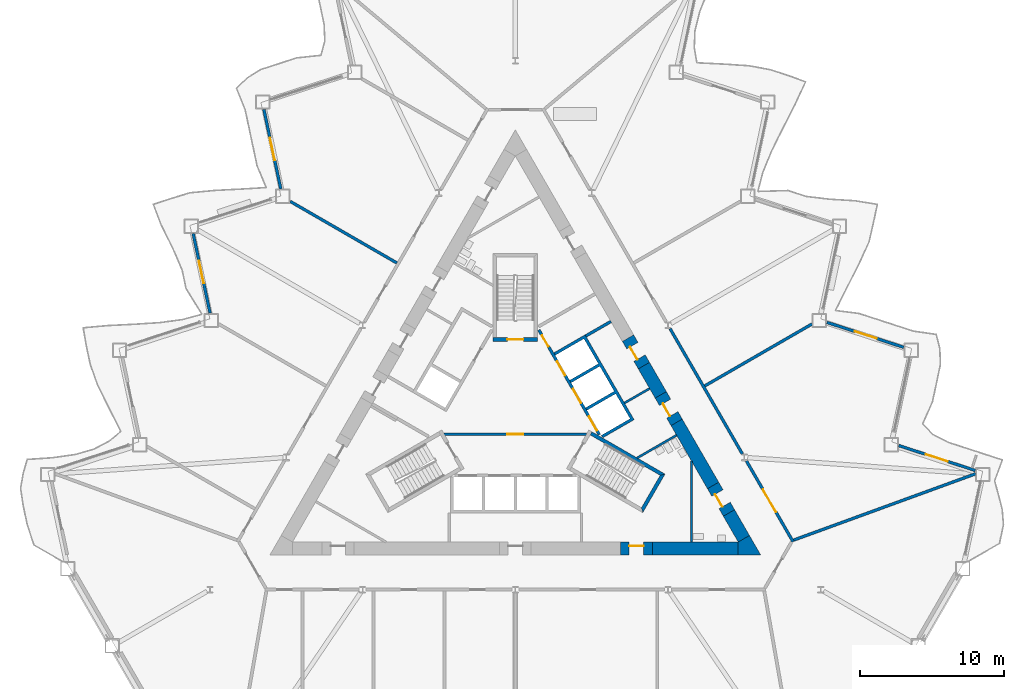
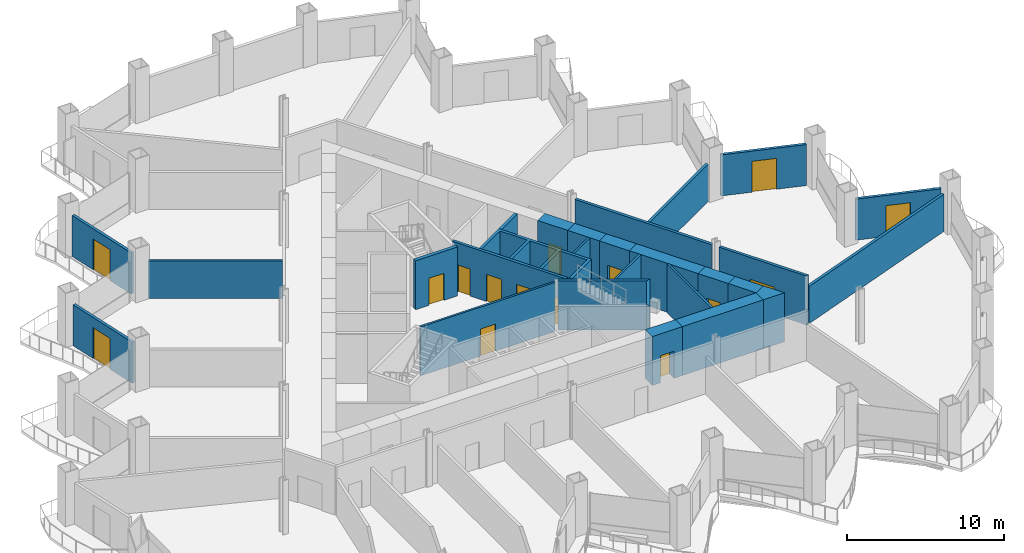
# One storey, part 11 of 21: 28 walls, 15 doors, 15 openings.
"""IFC4 building model written with IfcOpenShell, lengths in metres."""

from ifc_helpers import new_model, si_unit, direction, frame, frame_2d, origin, place, context, subcontext, project, spatial, polyline, rectangle, outline, extrude, material, layer, layer_set, type_object, element, fill, save


model = new_model("IFC4")

# Units and contexts
model_context = context("Model", 3, precision=1e-05, world=origin(), true_north=direction((0.0, 1.0)))
body_context = subcontext(model_context, "Body", "Model", "MODEL_VIEW")
ifc_project = project(units=[si_unit("LENGTHUNIT", "METRE"), si_unit("AREAUNIT", "SQUARE_METRE"), si_unit("VOLUMEUNIT", "CUBIC_METRE"), si_unit("PLANEANGLEUNIT", "RADIAN"), si_unit("MASSUNIT", "GRAM", prefix="KILO")], contexts=[model_context])

# Site, building, storey
site_placement = place(None, origin())
site = spatial("IfcSite", under=ifc_project, at=site_placement, CompositionType="ELEMENT")
building_placement = place(site_placement, origin())
building = spatial("IfcBuilding", under=site, at=building_placement, Name="Cormorant Prow Tower", CompositionType="ELEMENT")
storey_placement = place(building_placement, frame((0.0, 0.0, 67.800048828125)))
storey = spatial("IfcBuildingStorey", under=building, at=storey_placement, Name="L14", CompositionType="ELEMENT", Elevation=67.800048828125)

# Wall, opening, door
ifc_material_1 = material(Name="Gypsum board partition")
ifc_layer_1 = layer(ifc_material_1, 0.14990234375)
ifc_layer_set_1 = layer_set([ifc_layer_1], Name="Gypsum board partition")
wall_type_1 = type_object("IfcWallType", Name="Core partition 150", PredefinedType="PARTITIONING", material=ifc_layer_set_1)
wall_1_placement = place(storey_placement, frame((-4.941162109375, -1.449951171875, 0.0), z_axis=(0.0, 0.0, 1.0), x_axis=(1.0, 0.0, 0.0)))
wall_1 = element("IfcWall", 1, at=wall_1_placement, inside=storey, type_object=wall_type_1, Name="Firefighting lobby partition", PredefinedType="PARTITIONING", context=body_context, shape_type="SweptSolid", body=[
    extrude(rectangle(XDim=9.88232421875, YDim=0.14990234375, at=frame_2d((4.941162109375, 0.0))), origin(), (0.0, 0.0, 1.0), 3.800048828125),
])
opening_1_placement = place(wall_1_placement, frame((4.39111328125, 0.0, 0.0)))
opening_1 = element("IfcOpeningElement", 2, at=opening_1_placement, cuts=wall_1, Name="Opening L14-C10", PredefinedType="OPENING", context=body_context, shape_type="SweptSolid", body=[
    extrude(rectangle(XDim=1.10009765625, YDim=2.10009765625, at=frame_2d((0.550048828125, 1.050048828125))), frame((0.0, 0.0849609375, 0.0), z_axis=(0.0, -1.0, 0.0), x_axis=(1.0, 0.0, 0.0)), (0.0, 0.0, 1.0), 0.169921875),
])
ifc_material_2 = material(Name="Painted steel", Category="steel")
door_type_1 = type_object("IfcDoorType", Name="Firefighting lobby door 1100x2100", OperationType="NOTDEFINED", PredefinedType="DOOR", material=ifc_material_2)
door_1_placement = place(opening_1_placement, origin())
door_1 = element("IfcDoor", 3, at=door_1_placement, inside=storey, type_object=door_type_1, Name="Firefighting lobby door", OperationType="SINGLE_SWING_RIGHT", OverallHeight=2.10009765625, OverallWidth=1.10009765625, PredefinedType="DOOR", context=body_context, shape_type="SweptSolid", body=[
    extrude(rectangle(XDim=1.10009765625, YDim=2.10009765625, at=frame_2d((0.550048828125, 1.050048828125))), frame((0.0, 0.02490234375, 0.0), z_axis=(0.0, -1.0, 0.0), x_axis=(1.0, 0.0, 0.0)), (0.0, 0.0, 1.0), 0.050048828125),
])
fill(opening_1, door_1)

# Walls
wall_2_placement = place(storey_placement, frame((9.3017578125, 1.71875, 0.0), z_axis=(0.0, 0.0, 1.0), x_axis=(-0.866035824272, -0.499981950752, 0.0)))
element("IfcWall", 4, at=wall_2_placement, inside=storey, type_object=wall_type_1, Name="Service room partition", PredefinedType="PARTITIONING", context=body_context, shape_type="SweptSolid", body=[
    extrude(rectangle(XDim=2.0087890625, YDim=0.14990234375, at=frame_2d((1.00439453125, 0.0))), origin(), (0.0, 0.0, 1.0), 3.800048828125),
])
wall_3_placement = place(storey_placement, frame((11.169921875, -1.516845703125, 0.0), z_axis=(0.0, 0.0, 1.0), x_axis=(-0.866037599206, -0.499978876315, 0.0)))
element("IfcWall", 5, at=wall_3_placement, inside=storey, type_object=wall_type_1, Name="Service room partition", PredefinedType="PARTITIONING", context=body_context, shape_type="SweptSolid", body=[
    extrude(rectangle(XDim=3.159423828125, YDim=0.14990234375, at=frame_2d((1.57958984375, 0.0))), origin(), (0.0, 0.0, 1.0), 3.800048828125),
])
wall_4_placement = place(storey_placement, frame((12.203857421875, -8.9150390625, 0.0), z_axis=(0.0, 0.0, 1.0), x_axis=(0.0, 1.0, 0.0)))
element("IfcWall", 6, at=wall_4_placement, inside=storey, type_object=wall_type_1, Name="Service room partition", PredefinedType="PARTITIONING", context=body_context, shape_type="SweptSolid", body=[
    extrude(rectangle(XDim=5.607421875, YDim=0.14990234375, at=frame_2d((2.8037109375, 0.0))), origin(), (0.0, 0.0, 1.0), 3.800048828125),
])
ifc_material_3 = material(Name="Concrete 8000 psi", Category="concrete")
ifc_layer_2 = layer(ifc_material_3, 0.89990234375)
ifc_layer_set_2 = layer_set([ifc_layer_2], Name="Concrete 8000 psi")
wall_type_2 = type_object("IfcWallType", Name="Core shear wall 900", PredefinedType="SHEAR", material=ifc_layer_set_2)
wall_5_placement = place(storey_placement, frame((9.489501953125, -9.364990234375, 0.0), z_axis=(0.0, 0.0, 1.0), x_axis=(1.0, 0.0, 0.0)))
element("IfcWall", 7, at=wall_5_placement, inside=storey, type_object=wall_type_2, Name="Core wall", PredefinedType="SHEAR", context=body_context, shape_type="SweptSolid", body=[
    extrude(rectangle(XDim=5.95166015625, YDim=0.89990234375, at=frame_2d((2.975830078125, 0.0))), origin(), (0.0, 0.0, 1.0), 3.800048828125),
])
wall_6_placement = place(storey_placement, frame((13.69970703125, -4.998779296875, 0.0), z_axis=(0.0, 0.0, 1.0), x_axis=(-0.499993158726, 0.86602935356, 0.0)))
element("IfcWall", 8, at=wall_6_placement, inside=storey, type_object=wall_type_2, Name="Core wall", PredefinedType="SHEAR", context=body_context, shape_type="SweptSolid", body=[
    extrude(rectangle(XDim=5.04833984375, YDim=0.89990234375, at=frame_2d((2.524169921875, 0.0))), origin(), (0.0, 0.0, 1.0), 3.800048828125),
])
wall_7_placement = place(storey_placement, frame((10.075439453125, 1.278564453125, 0.0), z_axis=(0.0, 0.0, 1.0), x_axis=(-0.500026924946, 0.866009858102, 0.0)))
element("IfcWall", 9, at=wall_7_placement, inside=storey, type_object=wall_type_2, Name="Core wall", PredefinedType="SHEAR", context=body_context, shape_type="SweptSolid", body=[
    extrude(rectangle(XDim=2.336669921875, YDim=0.89990234375, at=frame_2d((1.16845703125, 0.0))), origin(), (0.0, 0.0, 1.0), 3.800048828125),
])
wall_8_placement = place(storey_placement, frame((15.830810546875, -8.68994140625, 0.0), z_axis=(0.0, 0.0, 1.0), x_axis=(-0.499971832445, 0.866041665719, 0.0)))
element("IfcWall", 10, at=wall_8_placement, inside=storey, type_object=wall_type_2, Name="Core wall", PredefinedType="SHEAR", context=body_context, shape_type="SweptSolid", body=[
    extrude(rectangle(XDim=2.06201171875, YDim=0.89990234375, at=frame_2d((1.031005859375, 0.0))), origin(), (0.0, 0.0, 1.0), 3.800048828125),
])
wall_9_placement = place(storey_placement, origin())
element("IfcWall", 11, at=wall_9_placement, inside=storey, type_object=wall_type_2, Name="Core wall corner", PredefinedType="SHEAR", context=body_context, shape_type="SweptSolid", body=[
    extrude(outline(polyline([(15.441162109375, -9.81494140625), (15.441162109375, -8.9150390625), (16.220703125, -8.465087890625), (17.0, -9.81494140625), (15.441162109375, -9.81494140625)])), origin(), (0.0, 0.0, 1.0), 3.800048828125),
])

# Wall, opening, door
wall_10_placement = place(storey_placement, frame((14.7998046875, -6.904052734375, 0.0), z_axis=(0.0, 0.0, 1.0), x_axis=(-0.50002983664, 0.866008176907, 0.0)))
wall_10 = element("IfcWall", 12, at=wall_10_placement, inside=storey, type_object=wall_type_2, Name="Core wall door panel", PredefinedType="SHEAR", context=body_context, shape_type="SweptSolid", body=[
    extrude(rectangle(XDim=2.199951171875, YDim=0.89990234375, at=frame_2d((1.10009765625, 0.0))), origin(), (0.0, 0.0, 1.0), 3.800048828125),
])
opening_2_placement = place(wall_10_placement, frame((0.60009765625, 0.0, 0.0)))
opening_2 = element("IfcOpeningElement", 13, at=opening_2_placement, cuts=wall_10, Name="Opening L14-C16", PredefinedType="OPENING", context=body_context, shape_type="SweptSolid", body=[
    extrude(rectangle(XDim=1.0, YDim=2.10009765625, at=frame_2d((0.5, 1.050048828125))), frame((0.0, 0.4599609375, 0.0), z_axis=(0.0, -1.0, 0.0), x_axis=(1.0, 0.0, 0.0)), (0.0, 0.0, 1.0), 0.919921875),
])
ifc_material_4 = material(Name="Painted steel", Category="steel")
door_type_2 = type_object("IfcDoorType", Name="Service door 1000x2100", OperationType="NOTDEFINED", PredefinedType="DOOR", material=ifc_material_4)
door_2_placement = place(opening_2_placement, origin())
door_2 = element("IfcDoor", 14, at=door_2_placement, inside=storey, type_object=door_type_2, Name="Core door, Accessible WC L14", OperationType="SINGLE_SWING_LEFT", OverallHeight=2.10009765625, OverallWidth=1.0, PredefinedType="DOOR", context=body_context, shape_type="SweptSolid", body=[
    extrude(rectangle(XDim=1.0, YDim=2.10009765625, at=frame_2d((0.5, 1.050048828125))), frame((0.0, 0.205078125, 0.0), z_axis=(0.0, -1.0, 0.0), x_axis=(1.0, 0.0, 0.0)), (0.0, 0.0, 1.0), 0.050048828125),
])
fill(opening_2, door_2)

wall_11_placement = place(storey_placement, frame((7.289306640625, -9.364990234375, 0.0), z_axis=(0.0, 0.0, 1.0), x_axis=(1.0, 0.0, 0.0)))
wall_11 = element("IfcWall", 15, at=wall_11_placement, inside=storey, type_object=wall_type_2, Name="Core wall door panel", PredefinedType="SHEAR", context=body_context, shape_type="SweptSolid", body=[
    extrude(rectangle(XDim=2.2001953125, YDim=0.89990234375, at=frame_2d((1.10009765625, 0.0))), origin(), (0.0, 0.0, 1.0), 3.800048828125),
])
opening_3_placement = place(wall_11_placement, frame((0.60009765625, 0.0, 0.0)))
opening_3 = element("IfcOpeningElement", 16, at=opening_3_placement, cuts=wall_11, Name="Opening L14-C17", PredefinedType="OPENING", context=body_context, shape_type="SweptSolid", body=[
    extrude(rectangle(XDim=1.0, YDim=2.10009765625, at=frame_2d((0.5, 1.050048828125))), frame((0.0, 0.4599609375, 0.0), z_axis=(0.0, -1.0, 0.0), x_axis=(1.0, 0.0, 0.0)), (0.0, 0.0, 1.0), 0.919921875),
])
door_3_placement = place(opening_3_placement, origin())
door_3 = element("IfcDoor", 17, at=door_3_placement, inside=storey, type_object=door_type_2, Name="Core door, Toilets (men) L14", OperationType="SINGLE_SWING_LEFT", OverallHeight=2.10009765625, OverallWidth=1.0, PredefinedType="DOOR", context=body_context, shape_type="SweptSolid", body=[
    extrude(rectangle(XDim=1.0, YDim=2.10009765625, at=frame_2d((0.5, 1.050048828125))), frame((0.0, 0.205078125, 0.0), z_axis=(0.0, -1.0, 0.0), x_axis=(1.0, 0.0, 0.0)), (0.0, 0.0, 1.0), 0.050048828125),
])
fill(opening_3, door_3)

wall_12_placement = place(storey_placement, frame((11.175537109375, -0.626708984375, 0.0), z_axis=(0.0, 0.0, 1.0), x_axis=(-0.499946605688, 0.86605622881, 0.0)))
wall_12 = element("IfcWall", 18, at=wall_12_placement, inside=storey, type_object=wall_type_2, Name="Core wall door panel", PredefinedType="SHEAR", context=body_context, shape_type="SweptSolid", body=[
    extrude(rectangle(XDim=2.199951171875, YDim=0.89990234375, at=frame_2d((1.10009765625, 0.0))), origin(), (0.0, 0.0, 1.0), 3.800048828125),
])
opening_4_placement = place(wall_12_placement, frame((0.60009765625, 0.0, 0.0)))
opening_4 = element("IfcOpeningElement", 19, at=opening_4_placement, cuts=wall_12, Name="Opening L14-C19", PredefinedType="OPENING", context=body_context, shape_type="SweptSolid", body=[
    extrude(rectangle(XDim=1.0, YDim=2.10009765625, at=frame_2d((0.5, 1.050048828125))), frame((0.0, 0.4599609375, 0.0), z_axis=(0.0, -1.0, 0.0), x_axis=(1.0, 0.0, 0.0)), (0.0, 0.0, 1.0), 0.919921875),
])
door_4_placement = place(opening_4_placement, origin())
door_4 = element("IfcDoor", 20, at=door_4_placement, inside=storey, type_object=door_type_2, Name="Core door, Electrical room", OperationType="SINGLE_SWING_RIGHT", OverallHeight=2.10009765625, OverallWidth=1.0, PredefinedType="DOOR", context=body_context, shape_type="SweptSolid", body=[
    extrude(rectangle(XDim=1.0, YDim=2.10009765625, at=frame_2d((0.5, 1.050048828125))), frame((0.0, 0.205078125, 0.0), z_axis=(0.0, -1.0, 0.0), x_axis=(1.0, 0.0, 0.0)), (0.0, 0.0, 1.0), 0.050048828125),
])
fill(opening_4, door_4)

wall_13_placement = place(storey_placement, frame((8.9072265625, 3.30224609375, 0.0), z_axis=(0.0, 0.0, 1.0), x_axis=(-0.50002983664, 0.866008176907, 0.0)))
wall_13 = element("IfcWall", 21, at=wall_13_placement, inside=storey, type_object=wall_type_2, Name="Core wall door panel", PredefinedType="SHEAR", context=body_context, shape_type="SweptSolid", body=[
    extrude(rectangle(XDim=2.199951171875, YDim=0.89990234375, at=frame_2d((1.10009765625, 0.0))), origin(), (0.0, 0.0, 1.0), 3.800048828125),
])
opening_5_placement = place(wall_13_placement, frame((0.60009765625, 0.0, 0.0)))
opening_5 = element("IfcOpeningElement", 22, at=opening_5_placement, cuts=wall_13, Name="Opening L14-C20", PredefinedType="OPENING", context=body_context, shape_type="SweptSolid", body=[
    extrude(rectangle(XDim=1.0, YDim=2.10009765625, at=frame_2d((0.5, 1.050048828125))), frame((0.0, 0.4599609375, 0.0), z_axis=(0.0, -1.0, 0.0), x_axis=(1.0, 0.0, 0.0)), (0.0, 0.0, 1.0), 0.919921875),
])
door_5_placement = place(opening_5_placement, origin())
door_5 = element("IfcDoor", 23, at=door_5_placement, inside=storey, type_object=door_type_2, Name="Core door, Linen store", OperationType="SINGLE_SWING_LEFT", OverallHeight=2.10009765625, OverallWidth=1.0, PredefinedType="DOOR", context=body_context, shape_type="SweptSolid", body=[
    extrude(rectangle(XDim=1.0, YDim=2.10009765625, at=frame_2d((0.5, 1.050048828125))), frame((0.0, 0.205078125, 0.0), z_axis=(0.0, -1.0, 0.0), x_axis=(1.0, 0.0, 0.0)), (0.0, 0.0, 1.0), 0.050048828125),
])
fill(opening_5, door_5)

# Wall
ifc_material_5 = material(Name="Gypsum board corridor wall")
ifc_layer_3 = layer(ifc_material_5, 0.199951171875)
ifc_layer_set_3 = layer_set([ifc_layer_3], Name="Gypsum board corridor wall")
wall_type_3 = type_object("IfcWallType", Name="Corridor wall 200", PredefinedType="PARTITIONING", material=ifc_layer_set_3)
wall_14_placement = place(storey_placement, frame((10.718505859375, 5.865234375, 0.0), z_axis=(0.0, 0.0, 1.0), x_axis=(0.49999175339, -0.866030164915, 0.0)))
element("IfcWall", 24, at=wall_14_placement, inside=storey, type_object=wall_type_3, Name="Corridor wall", PredefinedType="PARTITIONING", context=body_context, shape_type="SweptSolid", body=[
    extrude(rectangle(XDim=10.018798828125, YDim=0.199951171875, at=frame_2d((5.00927734375, 0.0))), origin(), (0.0, 0.0, 1.0), 3.800048828125),
])

# Wall, opening, door
wall_15_placement = place(storey_placement, frame((16.007568359375, -3.2958984375, 0.0), z_axis=(0.0, 0.0, 1.0), x_axis=(0.499984737558, -0.86603421538, 0.0)))
wall_15 = element("IfcWall", 25, at=wall_15_placement, inside=storey, type_object=wall_type_3, Name="Corridor wall", PredefinedType="PARTITIONING", context=body_context, shape_type="SweptSolid", body=[
    extrude(rectangle(XDim=6.472900390625, YDim=0.199951171875, at=frame_2d((3.236328125, 0.0))), origin(), (0.0, 0.0, 1.0), 3.800048828125),
])
opening_6_placement = place(wall_15_placement, frame((2.285400390625, 0.0, 0.0)))
opening_6 = element("IfcOpeningElement", 26, at=opening_6_placement, cuts=wall_15, Name="Opening L14-F08", PredefinedType="OPENING", context=body_context, shape_type="SweptSolid", body=[
    extrude(rectangle(XDim=1.800048828125, YDim=2.10009765625, at=frame_2d((0.89990234375, 1.050048828125))), frame((0.0, 0.10986328125, 0.0), z_axis=(0.0, -1.0, 0.0), x_axis=(1.0, 0.0, 0.0)), (0.0, 0.0, 1.0), 0.219970703125),
])
ifc_material_6 = material(Name="Timber door leaf", Category="wood")
door_type_3 = type_object("IfcDoorType", Name="Double door 1800x2100", OperationType="DOUBLE_DOOR_SINGLE_SWING", PredefinedType="DOOR", material=ifc_material_6)
door_6_placement = place(opening_6_placement, origin())
door_6 = element("IfcDoor", 27, at=door_6_placement, inside=storey, type_object=door_type_3, Name="Open-plan office door", OperationType="DOUBLE_DOOR_SINGLE_SWING", OverallHeight=2.10009765625, OverallWidth=1.800048828125, PredefinedType="DOOR", context=body_context, shape_type="SweptSolid", body=[
    extrude(rectangle(XDim=1.800048828125, YDim=2.10009765625, at=frame_2d((0.89990234375, 1.050048828125))), frame((0.0, 0.02490234375, 0.0), z_axis=(0.0, -1.0, 0.0), x_axis=(1.0, 0.0, 0.0)), (0.0, 0.0, 1.0), 0.050048828125),
])
fill(opening_6, door_6)

# Walls
ifc_material_7 = material(Name="Gypsum board demising wall")
ifc_layer_4 = layer(ifc_material_7, 0.199951171875)
ifc_layer_set_4 = layer_set([ifc_layer_4], Name="Gypsum board demising wall")
wall_type_4 = type_object("IfcWallType", Name="Demising wall 200", PredefinedType="PARTITIONING", material=ifc_layer_set_4)
wall_16_placement = place(storey_placement, frame((19.287841796875, -8.78076171875, 0.0), z_axis=(0.0, 0.0, 1.0), x_axis=(0.939515478087, 0.34250644729, 0.0)))
element("IfcWall", 28, at=wall_16_placement, inside=storey, type_object=wall_type_4, Name="Demising wall", PredefinedType="PARTITIONING", context=body_context, shape_type="SweptSolid", body=[
    extrude(rectangle(XDim=13.402099609375, YDim=0.199951171875, at=frame_2d((6.701171875, 0.0))), origin(), (0.0, 0.0, 1.0), 2.88525390625),
])
wall_17_placement = place(storey_placement, frame((13.12353515625, 1.899169921875, 0.0), z_axis=(0.0, 0.0, 1.0), x_axis=(0.866024086673, 0.500002281298, 0.0)))
element("IfcWall", 29, at=wall_17_placement, inside=storey, type_object=wall_type_4, Name="Demising wall", PredefinedType="PARTITIONING", context=body_context, shape_type="SweptSolid", body=[
    extrude(rectangle(XDim=8.58447265625, YDim=0.199951171875, at=frame_2d((4.292236328125, 0.0))), origin(), (0.0, 0.0, 1.0), 2.88525390625),
])
wall_18_placement = place(storey_placement, frame((-15.591796875, 14.6796875, 0.0), z_axis=(0.0, 0.0, 1.0), x_axis=(0.866023490266, -0.500003314297, 0.0)))
element("IfcWall", 30, at=wall_18_placement, inside=storey, type_object=wall_type_4, Name="Demising wall", PredefinedType="PARTITIONING", context=body_context, shape_type="SweptSolid", body=[
    extrude(rectangle(XDim=8.52783203125, YDim=0.199951171875, at=frame_2d((4.263916015625, 0.0))), origin(), (0.0, 0.0, 1.0), 2.88525390625),
])

# Wall, openings, doors
ifc_material_8 = material(Name="Concrete 5000 psi", Category="concrete")
ifc_layer_5 = layer(ifc_material_8, 0.199951171875)
ifc_layer_set_5 = layer_set([ifc_layer_5], Name="Concrete 5000 psi")
wall_type_5 = type_object("IfcWallType", Name="Lift lobby wall 200", PredefinedType="SOLIDWALL", material=ifc_layer_set_5)
wall_19_placement = place(storey_placement, frame((5.817138671875, -1.4755859375, 0.0), z_axis=(0.0, 0.0, 1.0), x_axis=(-0.500002616675, 0.866023893041, 0.0)))
wall_19 = element("IfcWall", 31, at=wall_19_placement, inside=storey, type_object=wall_type_5, Name="Lift lobby wall, ENE block", PredefinedType="SOLIDWALL", context=body_context, shape_type="SweptSolid", body=[
    extrude(rectangle(XDim=8.373046875, YDim=0.199951171875, at=frame_2d((4.1865234375, 0.0))), origin(), (0.0, 0.0, 1.0), 3.800048828125),
])
opening_7_placement = place(wall_19_placement, frame((0.336669921875, 0.0, 0.0)))
opening_7 = element("IfcOpeningElement", 32, at=opening_7_placement, cuts=wall_19, Name="Opening L14-C05", PredefinedType="OPENING", context=body_context, shape_type="SweptSolid", body=[
    extrude(rectangle(XDim=1.10009765625, YDim=2.10009765625, at=frame_2d((0.550048828125, 1.050048828125))), frame((0.0, 0.10986328125, 0.0), z_axis=(0.0, -1.0, 0.0), x_axis=(1.0, 0.0, 0.0)), (0.0, 0.0, 1.0), 0.219970703125),
])
opening_8_placement = place(wall_19_placement, frame((2.53662109375, 0.0, 0.0)))
opening_8 = element("IfcOpeningElement", 33, at=opening_8_placement, cuts=wall_19, Name="Opening L14-C06", PredefinedType="OPENING", context=body_context, shape_type="SweptSolid", body=[
    extrude(rectangle(XDim=1.10009765625, YDim=2.10009765625, at=frame_2d((0.550048828125, 1.050048828125))), frame((0.0, 0.10986328125, 0.0), z_axis=(0.0, -1.0, 0.0), x_axis=(1.0, 0.0, 0.0)), (0.0, 0.0, 1.0), 0.219970703125),
])
opening_9_placement = place(wall_19_placement, frame((4.736572265625, 0.0, 0.0)))
opening_9 = element("IfcOpeningElement", 34, at=opening_9_placement, cuts=wall_19, Name="Opening L14-C07", PredefinedType="OPENING", context=body_context, shape_type="SweptSolid", body=[
    extrude(rectangle(XDim=1.10009765625, YDim=2.10009765625, at=frame_2d((0.550048828125, 1.050048828125))), frame((0.0, 0.10986328125, 0.0), z_axis=(0.0, -1.0, 0.0), x_axis=(1.0, 0.0, 0.0)), (0.0, 0.0, 1.0), 0.219970703125),
])
opening_10_placement = place(wall_19_placement, frame((7.03662109375, 0.0, 0.0)))
opening_10 = element("IfcOpeningElement", 35, at=opening_10_placement, cuts=wall_19, Name="Opening L14-C08", PredefinedType="OPENING", context=body_context, shape_type="SweptSolid", body=[
    extrude(rectangle(XDim=0.89990234375, YDim=2.10009765625, at=frame_2d((0.449951171875, 1.050048828125))), frame((0.0, 0.10986328125, 0.0), z_axis=(0.0, -1.0, 0.0), x_axis=(1.0, 0.0, 0.0)), (0.0, 0.0, 1.0), 0.219970703125),
])
ifc_material_9 = material(Name="Painted steel", Category="steel")
door_type_4 = type_object("IfcDoorType", Name="Lift landing door 1100x2100", OperationType="SLIDING_TO_LEFT", PredefinedType="DOOR", material=ifc_material_9)
door_7_placement = place(opening_7_placement, origin())
door_7 = element("IfcDoor", 36, at=door_7_placement, inside=storey, type_object=door_type_4, Name="Landing door LR2", OperationType="SLIDING_TO_LEFT", OverallHeight=2.10009765625, OverallWidth=1.10009765625, PredefinedType="DOOR", context=body_context, shape_type="SweptSolid", body=[
    extrude(rectangle(XDim=1.10009765625, YDim=2.10009765625, at=frame_2d((0.550048828125, 1.050048828125))), frame((0.0, 0.02490234375, 0.0), z_axis=(0.0, -1.0, 0.0), x_axis=(1.0, 0.0, 0.0)), (0.0, 0.0, 1.0), 0.050048828125),
])
fill(opening_7, door_7)
door_8_placement = place(opening_8_placement, origin())
door_8 = element("IfcDoor", 37, at=door_8_placement, inside=storey, type_object=door_type_4, Name="Landing door LR3", OperationType="SLIDING_TO_LEFT", OverallHeight=2.10009765625, OverallWidth=1.10009765625, PredefinedType="DOOR", context=body_context, shape_type="SweptSolid", body=[
    extrude(rectangle(XDim=1.10009765625, YDim=2.10009765625, at=frame_2d((0.550048828125, 1.050048828125))), frame((0.0, 0.02490234375, 0.0), z_axis=(0.0, -1.0, 0.0), x_axis=(1.0, 0.0, 0.0)), (0.0, 0.0, 1.0), 0.050048828125),
])
fill(opening_8, door_8)
door_9_placement = place(opening_9_placement, origin())
door_9 = element("IfcDoor", 38, at=door_9_placement, inside=storey, type_object=door_type_4, Name="Landing door LR4", OperationType="SLIDING_TO_LEFT", OverallHeight=2.10009765625, OverallWidth=1.10009765625, PredefinedType="DOOR", context=body_context, shape_type="SweptSolid", body=[
    extrude(rectangle(XDim=1.10009765625, YDim=2.10009765625, at=frame_2d((0.550048828125, 1.050048828125))), frame((0.0, 0.02490234375, 0.0), z_axis=(0.0, -1.0, 0.0), x_axis=(1.0, 0.0, 0.0)), (0.0, 0.0, 1.0), 0.050048828125),
])
fill(opening_9, door_9)
ifc_material_10 = material(Name="Painted steel", Category="steel")
door_type_5 = type_object("IfcDoorType", Name="Service door 900x2100", OperationType="NOTDEFINED", PredefinedType="DOOR", material=ifc_material_10)
door_10_placement = place(opening_10_placement, origin())
door_10 = element("IfcDoor", 39, at=door_10_placement, inside=storey, type_object=door_type_5, Name="Service door, Linen store", OperationType="SINGLE_SWING_RIGHT", OverallHeight=2.10009765625, OverallWidth=0.89990234375, PredefinedType="DOOR", context=body_context, shape_type="SweptSolid", body=[
    extrude(rectangle(XDim=0.89990234375, YDim=2.10009765625, at=frame_2d((0.449951171875, 1.050048828125))), frame((0.0, 0.02490234375, 0.0), z_axis=(0.0, -1.0, 0.0), x_axis=(1.0, 0.0, 0.0)), (0.0, 0.0, 1.0), 0.050048828125),
])
fill(opening_10, door_10)

# Walls
ifc_material_11 = material(Name="Concrete 8000 psi", Category="concrete")
ifc_layer_6 = layer(ifc_material_11, 0.199951171875)
ifc_layer_set_6 = layer_set([ifc_layer_6], Name="Concrete 8000 psi")
wall_type_6 = type_object("IfcWallType", Name="Lift shaft wall 200", PredefinedType="SHEAR", material=ifc_layer_set_6)
wall_20_placement = place(storey_placement, origin())
element("IfcWall", 40, at=wall_20_placement, inside=storey, type_object=wall_type_6, Name="Lift shaft walls, ENE block", PredefinedType="SHEAR", context=body_context, shape_type="SweptSolid", body=[
    extrude(outline(polyline([(2.660400390625, 4.19189453125), (4.830810546875, 5.44482421875), (8.230712890625, -0.444091796875), (6.060546875, -1.697021484375), (5.96044921875, -1.52392578125), (7.952392578125, -0.373779296875), (6.952392578125, 1.358154296875), (4.96044921875, 0.2080078125), (4.860595703125, 0.38134765625), (6.852294921875, 1.53125), (5.852294921875, 3.263427734375), (3.860595703125, 2.11328125), (3.760498046875, 2.28662109375), (5.75244140625, 3.4365234375), (4.75244140625, 5.168701171875), (2.760498046875, 4.018798828125), (2.660400390625, 4.19189453125)])), origin(), (0.0, 0.0, 1.0), 3.800048828125),
])
wall_21_placement = place(storey_placement, frame((4.880859375, 5.3583984375, 0.0), z_axis=(0.0, 0.0, 1.0), x_axis=(0.866035824272, 0.499981950752, 0.0)))
element("IfcWall", 41, at=wall_21_placement, inside=storey, type_object=wall_type_6, Name="Store side wall", PredefinedType="SHEAR", context=body_context, shape_type="SweptSolid", body=[
    extrude(rectangle(XDim=2.0087890625, YDim=0.199951171875, at=frame_2d((1.00439453125, 0.0))), origin(), (0.0, 0.0, 1.0), 3.800048828125),
])
ifc_material_12 = material(Name="Concrete 8000 psi", Category="concrete")
ifc_layer_7 = layer(ifc_material_12, 0.25)
ifc_layer_set_7 = layer_set([ifc_layer_7], Name="Concrete 8000 psi")
wall_type_7 = type_object("IfcWallType", Name="Stair wall 250", PredefinedType="SHEAR", material=ifc_layer_set_7)
wall_22_placement = place(storey_placement, origin())
element("IfcWall", 42, at=wall_22_placement, inside=storey, type_object=wall_type_7, Name="Stair ST2 enclosure wall (end)", PredefinedType="SHEAR", context=body_context, shape_type="SweptSolid", body=[
    extrude(outline(polyline([(8.82958984375, -6.880615234375), (10.37353515625, -4.206298828125), (10.031982421875, -4.2978515625), (8.738037109375, -6.5390625), (8.82958984375, -6.880615234375)])), origin(), (0.0, 0.0, 1.0), 3.800048828125),
])
wall_23_placement = place(storey_placement, origin())
element("IfcWall", 43, at=wall_23_placement, inside=storey, type_object=wall_type_7, Name="Stair ST2 enclosure wall (flank)", PredefinedType="SHEAR", context=body_context, shape_type="SweptSolid", body=[
    extrude(outline(polyline([(10.031982421875, -4.2978515625), (10.37353515625, -4.206298828125), (5.30712890625, -1.28125), (5.18212890625, -1.497802734375), (10.031982421875, -4.2978515625)])), origin(), (0.0, 0.0, 1.0), 3.800048828125),
])

# Wall, opening, door
wall_24_placement = place(storey_placement, frame((1.5439453125, 5.11181640625, 0.0), z_axis=(0.0, 0.0, 1.0), x_axis=(-1.0, 0.0, 0.0)))
wall_24 = element("IfcWall", 44, at=wall_24_placement, inside=storey, type_object=wall_type_7, Name="Stair ST3 door wall", PredefinedType="SHEAR", context=body_context, shape_type="SweptSolid", body=[
    extrude(rectangle(XDim=3.087890625, YDim=0.25, at=frame_2d((1.5439453125, 0.0))), origin(), (0.0, 0.0, 1.0), 3.800048828125),
])
opening_11_placement = place(wall_24_placement, frame((0.993896484375, 0.0, 0.0)))
opening_11 = element("IfcOpeningElement", 45, at=opening_11_placement, cuts=wall_24, Name="Opening L14-C13", PredefinedType="OPENING", context=body_context, shape_type="SweptSolid", body=[
    extrude(rectangle(XDim=1.10009765625, YDim=2.10009765625, at=frame_2d((0.550048828125, 1.050048828125))), frame((0.0, 0.135009765625, 0.0), z_axis=(0.0, -1.0, 0.0), x_axis=(1.0, 0.0, 0.0)), (0.0, 0.0, 1.0), 0.27001953125),
])
ifc_material_13 = material(Name="Painted steel", Category="steel")
door_type_6 = type_object("IfcDoorType", Name="Stair door 1100x2100", OperationType="NOTDEFINED", PredefinedType="DOOR", material=ifc_material_13)
door_11_placement = place(opening_11_placement, origin())
door_11 = element("IfcDoor", 46, at=door_11_placement, inside=storey, type_object=door_type_6, Name="Stair ST3 door", OperationType="SINGLE_SWING_RIGHT", OverallHeight=2.10009765625, OverallWidth=1.10009765625, PredefinedType="DOOR", context=body_context, shape_type="SweptSolid", body=[
    extrude(rectangle(XDim=1.10009765625, YDim=2.10009765625, at=frame_2d((0.550048828125, 1.050048828125))), frame((0.0, 0.02490234375, 0.0), z_axis=(0.0, -1.0, 0.0), x_axis=(1.0, 0.0, 0.0)), (0.0, 0.0, 1.0), 0.050048828125),
])
fill(opening_11, door_11)

ifc_material_14 = material(Name="Terracotta", Category="masonry")
ifc_layer_8 = layer(ifc_material_14, 0.199951171875)
ifc_layer_set_8 = layer_set([ifc_layer_8], Name="Terracotta")
wall_type_8 = type_object("IfcWallType", Name="Terracotta jamb wall 200", PredefinedType="SOLIDWALL", material=ifc_layer_set_8)
wall_25_placement = place(storey_placement, frame((31.86474609375, -3.957763671875, 0.0), z_axis=(0.0, 0.0, 1.0), x_axis=(-0.951066864375, 0.308985144444, 0.0)))
wall_25 = element("IfcWall", 47, at=wall_25_placement, inside=storey, type_object=wall_type_8, Name="Terracotta jamb wall ENE01", PredefinedType="SOLIDWALL", context=body_context, shape_type="SweptSolid", body=[
    extrude(rectangle(XDim=5.5791015625, YDim=0.199951171875, at=frame_2d((2.78955078125, 0.0))), origin(), (0.0, 0.0, 1.0), 3.18896484375),
])
opening_12_placement = place(wall_25_placement, frame((2.00341796875, 0.0, 0.0)))
opening_12 = element("IfcOpeningElement", 48, at=opening_12_placement, cuts=wall_25, Name="Opening ED14.06", PredefinedType="OPENING", context=body_context, shape_type="SweptSolid", body=[
    extrude(rectangle(XDim=1.60009765625, YDim=2.39990234375, at=frame_2d((0.800048828125, 1.199951171875))), frame((0.0, 0.10986328125, 0.0), z_axis=(0.0, -1.0, 0.0), x_axis=(1.0, 0.0, 0.0)), (0.0, 0.0, 1.0), 0.219970703125),
])
ifc_material_15 = material(Name="Aluminium 6063-T6", Category="aluminium")
door_type_7 = type_object("IfcDoorType", Name="Balcony door 1600x2400", OperationType="DOUBLE_DOOR_SINGLE_SWING", PredefinedType="DOOR", material=ifc_material_15)
door_12_placement = place(opening_12_placement, origin())
door_12 = element("IfcDoor", 49, at=door_12_placement, inside=storey, type_object=door_type_7, Name="Balcony door ENE01 ED14.06", OperationType="DOUBLE_DOOR_SINGLE_SWING", OverallHeight=2.39990234375, OverallWidth=1.60009765625, PredefinedType="DOOR", context=body_context, shape_type="SweptSolid", body=[
    extrude(rectangle(XDim=1.60009765625, YDim=2.39990234375, at=frame_2d((0.800048828125, 1.199951171875))), frame((0.0, 0.02490234375, 0.0), z_axis=(0.0, -1.0, 0.0), x_axis=(1.0, 0.0, 0.0)), (0.0, 0.0, 1.0), 0.050048828125),
])
fill(opening_12, door_12)

wall_26_placement = place(storey_placement, frame((26.898681640625, 4.57470703125, 0.0), z_axis=(0.0, 0.0, 1.0), x_axis=(-0.951066864375, 0.308985144444, 0.0)))
wall_26 = element("IfcWall", 50, at=wall_26_placement, inside=storey, type_object=wall_type_8, Name="Terracotta jamb wall ENE03", PredefinedType="SOLIDWALL", context=body_context, shape_type="SweptSolid", body=[
    extrude(rectangle(XDim=5.5791015625, YDim=0.199951171875, at=frame_2d((2.78955078125, 0.0))), origin(), (0.0, 0.0, 1.0), 3.18896484375),
])
opening_13_placement = place(wall_26_placement, frame((1.951904296875, 0.0, 0.0)))
opening_13 = element("IfcOpeningElement", 51, at=opening_13_placement, cuts=wall_26, Name="Opening ED14.07", PredefinedType="OPENING", context=body_context, shape_type="SweptSolid", body=[
    extrude(rectangle(XDim=1.60009765625, YDim=2.39990234375, at=frame_2d((0.800048828125, 1.199951171875))), frame((0.0, 0.10986328125, 0.0), z_axis=(0.0, -1.0, 0.0), x_axis=(1.0, 0.0, 0.0)), (0.0, 0.0, 1.0), 0.219970703125),
])
door_13_placement = place(opening_13_placement, origin())
door_13 = element("IfcDoor", 52, at=door_13_placement, inside=storey, type_object=door_type_7, Name="Balcony door ENE03 ED14.07", OperationType="DOUBLE_DOOR_SINGLE_SWING", OverallHeight=2.39990234375, OverallWidth=1.60009765625, PredefinedType="DOOR", context=body_context, shape_type="SweptSolid", body=[
    extrude(rectangle(XDim=1.60009765625, YDim=2.39990234375, at=frame_2d((0.800048828125, 1.199951171875))), frame((0.0, 0.02490234375, 0.0), z_axis=(0.0, -1.0, 0.0), x_axis=(1.0, 0.0, 0.0)), (0.0, 0.0, 1.0), 0.050048828125),
])
fill(opening_13, door_13)

wall_27_placement = place(storey_placement, frame((-17.420166015625, 21.050537109375, 0.0), z_axis=(0.0, 0.0, 1.0), x_axis=(0.207901831982, -0.978149696242, 0.0)))
wall_27 = element("IfcWall", 53, at=wall_27_placement, inside=storey, type_object=wall_type_8, Name="Terracotta jamb wall WNW03", PredefinedType="SOLIDWALL", context=body_context, shape_type="SweptSolid", body=[
    extrude(rectangle(XDim=5.626220703125, YDim=0.199951171875, at=frame_2d((2.81298828125, 0.0))), origin(), (0.0, 0.0, 1.0), 3.18896484375),
])
opening_14_placement = place(wall_27_placement, frame((1.995849609375, 0.0, 0.0)))
opening_14 = element("IfcOpeningElement", 54, at=opening_14_placement, cuts=wall_27, Name="Opening ED14.12", PredefinedType="OPENING", context=body_context, shape_type="SweptSolid", body=[
    extrude(rectangle(XDim=1.60009765625, YDim=2.39990234375, at=frame_2d((0.800048828125, 1.199951171875))), frame((0.0, 0.10986328125, 0.0), z_axis=(0.0, -1.0, 0.0), x_axis=(1.0, 0.0, 0.0)), (0.0, 0.0, 1.0), 0.219970703125),
])
door_14_placement = place(opening_14_placement, origin())
door_14 = element("IfcDoor", 55, at=door_14_placement, inside=storey, type_object=door_type_7, Name="Balcony door WNW03 ED14.12", OperationType="DOUBLE_DOOR_SINGLE_SWING", OverallHeight=2.39990234375, OverallWidth=1.60009765625, PredefinedType="DOOR", context=body_context, shape_type="SweptSolid", body=[
    extrude(rectangle(XDim=1.60009765625, YDim=2.39990234375, at=frame_2d((0.800048828125, 1.199951171875))), frame((0.0, 0.02490234375, 0.0), z_axis=(0.0, -1.0, 0.0), x_axis=(1.0, 0.0, 0.0)), (0.0, 0.0, 1.0), 0.050048828125),
])
fill(opening_14, door_14)

wall_28_placement = place(storey_placement, frame((-22.319091796875, 12.448974609375, 0.0), z_axis=(0.0, 0.0, 1.0), x_axis=(0.207901831982, -0.978149696242, 0.0)))
wall_28 = element("IfcWall", 56, at=wall_28_placement, inside=storey, type_object=wall_type_8, Name="Terracotta jamb wall WNW05", PredefinedType="SOLIDWALL", context=body_context, shape_type="SweptSolid", body=[
    extrude(rectangle(XDim=5.626220703125, YDim=0.199951171875, at=frame_2d((2.81298828125, 0.0))), origin(), (0.0, 0.0, 1.0), 3.18896484375),
])
opening_15_placement = place(wall_28_placement, frame((1.908935546875, 0.0, 0.0)))
opening_15 = element("IfcOpeningElement", 57, at=opening_15_placement, cuts=wall_28, Name="Opening ED14.13", PredefinedType="OPENING", context=body_context, shape_type="SweptSolid", body=[
    extrude(rectangle(XDim=1.60009765625, YDim=2.39990234375, at=frame_2d((0.800048828125, 1.199951171875))), frame((0.0, 0.10986328125, 0.0), z_axis=(0.0, -1.0, 0.0), x_axis=(1.0, 0.0, 0.0)), (0.0, 0.0, 1.0), 0.219970703125),
])
door_15_placement = place(opening_15_placement, origin())
door_15 = element("IfcDoor", 58, at=door_15_placement, inside=storey, type_object=door_type_7, Name="Balcony door WNW05 ED14.13", OperationType="DOUBLE_DOOR_SINGLE_SWING", OverallHeight=2.39990234375, OverallWidth=1.60009765625, PredefinedType="DOOR", context=body_context, shape_type="SweptSolid", body=[
    extrude(rectangle(XDim=1.60009765625, YDim=2.39990234375, at=frame_2d((0.800048828125, 1.199951171875))), frame((0.0, 0.02490234375, 0.0), z_axis=(0.0, -1.0, 0.0), x_axis=(1.0, 0.0, 0.0)), (0.0, 0.0, 1.0), 0.050048828125),
])
fill(opening_15, door_15)

save(model, "model.ifc")
